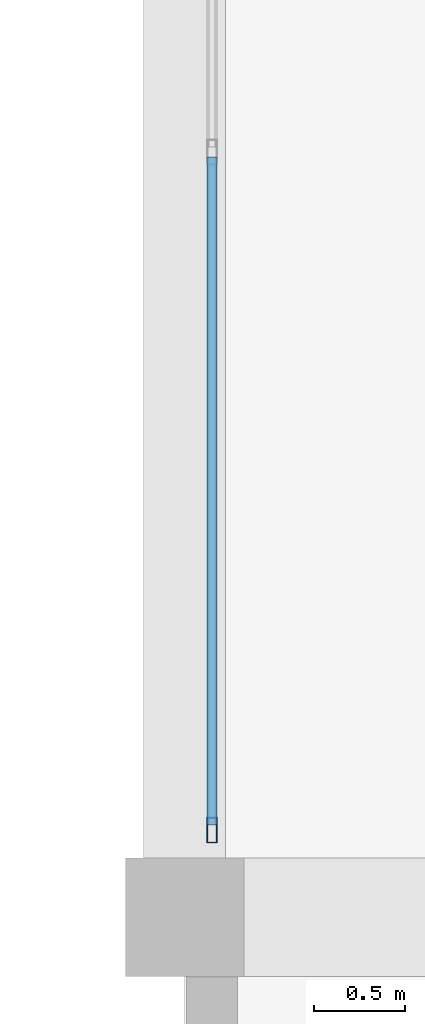
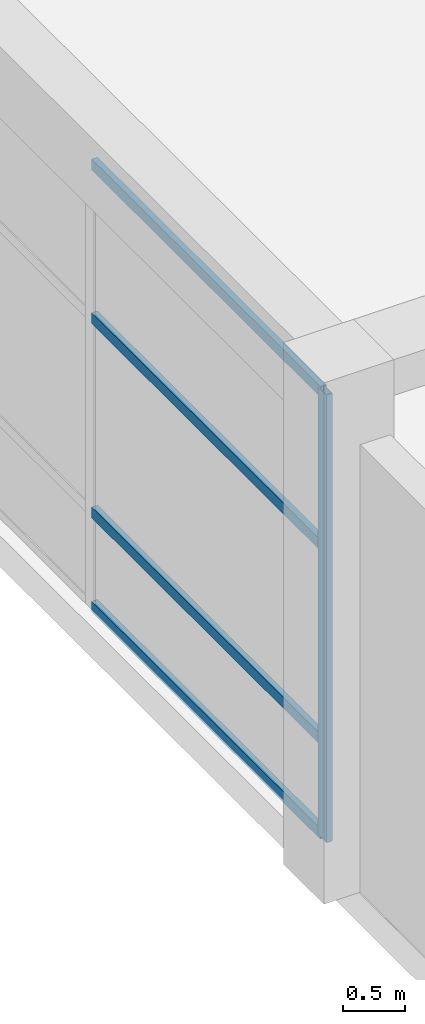
# One storey, part 15 of 96: 5 members, 1 element without a shape of its own.
"""IFC4 building model written with IfcOpenShell, lengths in metres."""

from ifc_helpers import new_model, si_unit, direction, frame, origin, origin_2d, place, context, subcontext, project, spatial, hollow_rectangle, extrude, material, material_profile, profile_set, type_object, element, aggregate, save


model = new_model("IFC4")

# Units and contexts
model_context = context("Model", 3, precision=1e-05, world=origin(), true_north=direction((0.0, 1.0)))
body_context = subcontext(model_context, "Body", "Model", "MODEL_VIEW")
ifc_project = project(units=[si_unit("LENGTHUNIT", "METRE"), si_unit("AREAUNIT", "SQUARE_METRE"), si_unit("VOLUMEUNIT", "CUBIC_METRE"), si_unit("PLANEANGLEUNIT", "RADIAN"), si_unit("MASSUNIT", "GRAM", prefix="KILO")], contexts=[model_context])

# Site, building, storey
site_placement = place(None, origin())
site = spatial("IfcSite", under=ifc_project, at=site_placement, CompositionType="ELEMENT")
building_placement = place(site_placement, origin())
building = spatial("IfcBuilding", under=site, at=building_placement, Name="Almacenes y Pasaje Nevantli", CompositionType="ELEMENT")
storey_placement = place(building_placement, frame((0.0, 0.0, 6.0)))
storey = spatial("IfcBuildingStorey", under=building, at=storey_placement, Name="L02", CompositionType="ELEMENT", Elevation=6.0)

# Curtain wall, members
ifc_material_1 = material(Name="Thermally Broken Aluminium and Low-E Glass", Category="aluminium")
curtain_wall_type = type_object("IfcCurtainWallType", Name="CW-UNIT-PODIUM", PredefinedType="USERDEFINED", material=ifc_material_1)
curtain_wall_placement = place(storey_placement, origin())
curtain_wall = element("IfcCurtainWall", 1, at=curtain_wall_placement, inside=storey, type_object=curtain_wall_type, Name="L02 West Avenue Unitized Curtain Wall Bay 4", ObjectType="UNITIZED CURTAIN WALL", PredefinedType="USERDEFINED")
ifc_material_2 = material(Name="Thermally Broken Anodized Aluminium", Category="aluminium")
ifc_material_profile_1 = material_profile(ifc_material_2, hollow_rectangle(XDim=0.054931640625, YDim=0.139892578125, WallThickness=0.00341796875, at=origin_2d()), Name="ALU-MUL-55x140")
ifc_profile_set_1 = profile_set([ifc_material_profile_1], Name="Thermally Broken Anodized Aluminium")
member_type_1 = type_object("IfcMemberType", Name="CW-MUL-160", PredefinedType="MULLION", material=ifc_profile_set_1)
member_1_placement = place(storey_placement, frame((0.14990234375, 25.677490234375, 0.0), z_axis=(0.0, 0.0, 1.0), x_axis=(-1.0, 0.0, 0.0)))
member_1 = element("IfcMember", 2, at=member_1_placement, type_object=member_type_1, Name="CW-L02-015 mullion 1", PredefinedType="MULLION", context=body_context, shape_type="SweptSolid", body=[
    extrude(hollow_rectangle(XDim=0.054931640625, YDim=0.139892578125, WallThickness=0.00341796875, at=origin_2d()), origin(), (0.0, 0.0, 1.0), 4.3798828125),
])
ifc_material_3 = material(Name="Thermally Broken Anodized Aluminium", Category="aluminium")
ifc_material_profile_2 = material_profile(ifc_material_3, hollow_rectangle(XDim=0.054931640625, YDim=0.10498046875, WallThickness=0.003173828125, at=origin_2d()), Name="ALU-TRN-55x105")
ifc_profile_set_2 = profile_set([ifc_material_profile_2], Name="Thermally Broken Anodized Aluminium")
member_type_2 = type_object("IfcMemberType", Name="CW-TRN-120", PredefinedType="USERDEFINED", material=ifc_profile_set_2)
member_2_placement = place(storey_placement, frame((0.14990234375, 25.705078125, 0.027587890625), z_axis=(0.0, 1.0, 0.0), x_axis=(-1.0, 0.0, 0.0)))
member_2 = element("IfcMember", 3, at=member_2_placement, type_object=member_type_2, Name="CW-L02-015 transom 1.1", ObjectType="TRANSOM", PredefinedType="USERDEFINED", context=body_context, shape_type="SweptSolid", body=[
    extrude(hollow_rectangle(XDim=0.054931640625, YDim=0.10498046875, WallThickness=0.003173828125, at=origin_2d()), origin(), (0.0, 0.0, 1.0), 3.66748046875),
])
member_3_placement = place(storey_placement, frame((0.14990234375, 25.705078125, 0.949951171875), z_axis=(0.0, 1.0, 0.0), x_axis=(-1.0, 0.0, 0.0)))
member_3 = element("IfcMember", 4, at=member_3_placement, type_object=member_type_2, Name="CW-L02-015 transom 1.2", ObjectType="TRANSOM", PredefinedType="USERDEFINED", context=body_context, shape_type="SweptSolid", body=[
    extrude(hollow_rectangle(XDim=0.054931640625, YDim=0.10498046875, WallThickness=0.003173828125, at=origin_2d()), origin(), (0.0, 0.0, 1.0), 3.66748046875),
])
member_4_placement = place(storey_placement, frame((0.14990234375, 25.705078125, 2.85009765625), z_axis=(0.0, 1.0, 0.0), x_axis=(-1.0, 0.0, 0.0)))
member_4 = element("IfcMember", 5, at=member_4_placement, type_object=member_type_2, Name="CW-L02-015 transom 1.3", ObjectType="TRANSOM", PredefinedType="USERDEFINED", context=body_context, shape_type="SweptSolid", body=[
    extrude(hollow_rectangle(XDim=0.054931640625, YDim=0.10498046875, WallThickness=0.003173828125, at=origin_2d()), origin(), (0.0, 0.0, 1.0), 3.66748046875),
])
member_5_placement = place(storey_placement, frame((0.14990234375, 25.705078125, 4.3525390625), z_axis=(0.0, 1.0, 0.0), x_axis=(-1.0, 0.0, 0.0)))
member_5 = element("IfcMember", 6, at=member_5_placement, type_object=member_type_2, Name="CW-L02-015 transom 1.4", ObjectType="TRANSOM", PredefinedType="USERDEFINED", context=body_context, shape_type="SweptSolid", body=[
    extrude(hollow_rectangle(XDim=0.054931640625, YDim=0.10498046875, WallThickness=0.003173828125, at=origin_2d()), origin(), (0.0, 0.0, 1.0), 3.66748046875),
])
aggregate(curtain_wall, [member_1, member_2, member_3, member_4, member_5])

save(model, "model.ifc")
